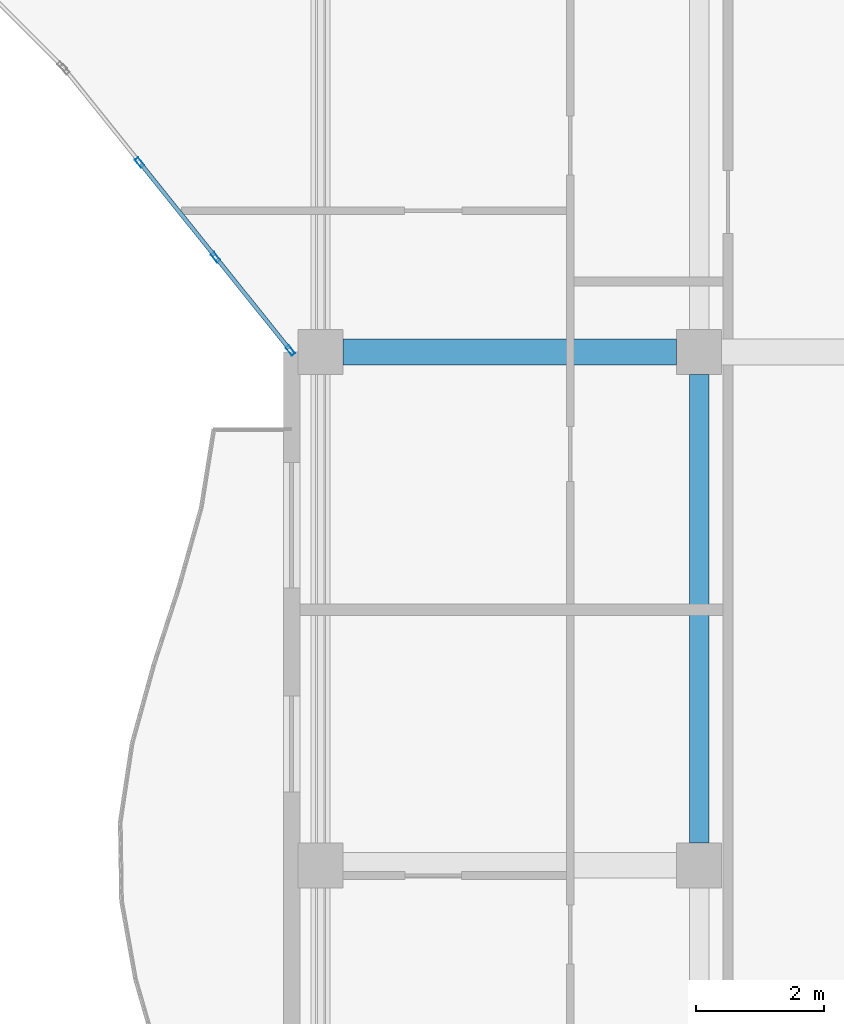
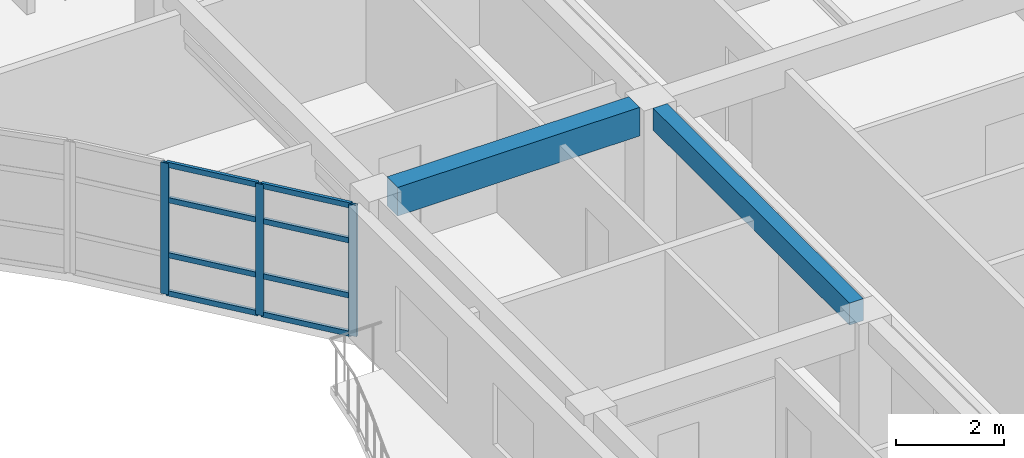
# One storey, part 67 of 128: 11 members, 2 beams, 1 element without a shape of its own.
"""IFC4 building model written with IfcOpenShell, lengths in metres."""

from ifc_helpers import new_model, si_unit, direction, frame, origin, origin_2d, place, context, subcontext, project, spatial, rectangle, hollow_rectangle, extrude, material, layer, layer_set, material_profile, profile_set, type_object, element, aggregate, save


model = new_model("IFC4")

# Units and contexts
model_context = context("Model", 3, precision=1e-05, world=origin(), true_north=direction((0.0, 1.0)))
body_context = subcontext(model_context, "Body", "Model", "MODEL_VIEW")
ifc_project = project(units=[si_unit("LENGTHUNIT", "METRE"), si_unit("AREAUNIT", "SQUARE_METRE"), si_unit("VOLUMEUNIT", "CUBIC_METRE"), si_unit("PLANEANGLEUNIT", "RADIAN"), si_unit("MASSUNIT", "GRAM", prefix="KILO")], contexts=[model_context])

# Site, building, storey
site_placement = place(None, origin())
site = spatial("IfcSite", under=ifc_project, at=site_placement, CompositionType="ELEMENT")
building_placement = place(site_placement, origin())
building = spatial("IfcBuilding", under=site, at=building_placement, Name="Keldmere Railside Commons", CompositionType="ELEMENT")
storey_placement = place(building_placement, frame((0.0, 0.0, 4.159912109375)))
storey = spatial("IfcBuildingStorey", under=building, at=storey_placement, Name="L01", CompositionType="ELEMENT", Elevation=4.159912109375)

# Beams
ifc_material_1 = material(Name="Concrete H-30 (C30/37)", Category="concrete")
ifc_material_profile_1 = material_profile(ifc_material_1, rectangle(XDim=0.39990234375, YDim=0.64990234375, at=origin_2d()), Name="RC-400x650")
ifc_profile_set_1 = profile_set([ifc_material_profile_1], Name="Concrete H-30 (C30/37)")
beam_type_1 = type_object("IfcBeamType", Name="Residential Spine RC Girder 400x650", PredefinedType="BEAM", material=ifc_profile_set_1)
beam_1_placement = place(storey_placement, frame((168.800048828125, 88.0, 2.875), z_axis=(1.0, 0.0, 0.0), x_axis=(0.0, 1.0, 0.0)))
element("IfcBeam", 1, at=beam_1_placement, inside=storey, type_object=beam_type_1, Name="BG-3 BM-L01-0809", PredefinedType="BEAM", context=body_context, shape_type="SweptSolid", body=[
    extrude(rectangle(XDim=0.39990234375, YDim=0.64990234375, at=origin_2d()), origin(), (0.0, 0.0, 1.0), 5.199951171875),
])
ifc_material_profile_2 = material_profile(ifc_material_1, rectangle(XDim=0.300048828125, YDim=0.5, at=origin_2d()), Name="RC-300x500")
ifc_profile_set_2 = profile_set([ifc_material_profile_2], Name="Concrete H-30 (C30/37)")
beam_type_2 = type_object("IfcBeamType", Name="Secondary Frame RC Beam 300x500", PredefinedType="BEAM", material=ifc_profile_set_2)
beam_2_placement = place(storey_placement, frame((174.35009765625, 80.35009765625, 2.9501953125), z_axis=(0.0, 1.0, 0.0), x_axis=(-1.0, 0.0, 0.0)))
element("IfcBeam", 2, at=beam_2_placement, inside=storey, type_object=beam_type_2, Name="BG-5 BM-L01-0968", PredefinedType="BEAM", context=body_context, shape_type="SweptSolid", body=[
    extrude(rectangle(XDim=0.300048828125, YDim=0.5, at=origin_2d()), origin(), (0.0, 0.0, 1.0), 7.2998046875),
])

# Curtain wall, members
ifc_material_2 = material(Name="Thermally Broken Aluminium", Category="aluminium")
ifc_layer = layer(ifc_material_2, 0.159912109375, Name="Court Chord Wintergarden CW 5400x2850")
ifc_layer_set = layer_set([ifc_layer], Name="Thermally Broken Aluminium")
curtain_wall_type = type_object("IfcCurtainWallType", Name="Court Chord Wintergarden CW 5400x2850", PredefinedType="NOTDEFINED", material=ifc_layer_set)
curtain_wall_placement = place(storey_placement, origin())
curtain_wall = element("IfcCurtainWall", 3, at=curtain_wall_placement, inside=storey, type_object=curtain_wall_type, Name="CW-13 CW-L01-162", PredefinedType="NOTDEFINED")
ifc_material_profile_3 = material_profile(ifc_material_2, hollow_rectangle(XDim=0.06494140625, YDim=0.159912109375, WallThickness=0.00390625, at=origin_2d()), Name="ALU-MULL-65x160")
ifc_profile_set_3 = profile_set([ifc_material_profile_3], Name="Thermally Broken Aluminium")
member_type_1 = type_object("IfcMemberType", Name="Unitised Curtain Wall Mullion 65x160", PredefinedType="MULLION", material=ifc_profile_set_3)
member_1_placement = place(storey_placement, frame((167.979736328125, 88.025390625, 0.0), z_axis=(0.0, 0.0, 1.0), x_axis=(-0.780009172323, -0.625768080915, 0.0)))
member_1 = element("IfcMember", 4, at=member_1_placement, type_object=member_type_1, Name="CW-13 mullion 1", PredefinedType="MULLION", context=body_context, shape_type="SweptSolid", body=[
    extrude(hollow_rectangle(XDim=0.06494140625, YDim=0.159912109375, WallThickness=0.00390625, at=origin_2d()), origin(), (0.0, 0.0, 1.0), 2.97998046875),
])
member_2_placement = place(storey_placement, frame((166.8154296875, 89.4765625, 0.0), z_axis=(0.0, 0.0, 1.0), x_axis=(-0.780009172323, -0.625768080915, 0.0)))
member_2 = element("IfcMember", 5, at=member_2_placement, type_object=member_type_1, Name="CW-13 mullion 2", PredefinedType="MULLION", context=body_context, shape_type="SweptSolid", body=[
    extrude(hollow_rectangle(XDim=0.06494140625, YDim=0.159912109375, WallThickness=0.00390625, at=origin_2d()), origin(), (0.0, 0.0, 1.0), 2.97998046875),
])
member_3_placement = place(storey_placement, frame((165.630615234375, 90.953369140625, 0.0), z_axis=(0.0, 0.0, 1.0), x_axis=(-0.780009172323, -0.625768080915, 0.0)))
member_3 = element("IfcMember", 6, at=member_3_placement, type_object=member_type_1, Name="CW-13 mullion 3", PredefinedType="MULLION", context=body_context, shape_type="SweptSolid", body=[
    extrude(hollow_rectangle(XDim=0.06494140625, YDim=0.159912109375, WallThickness=0.00390625, at=origin_2d()), origin(), (0.0, 0.0, 1.0), 2.97998046875),
])
ifc_material_profile_4 = material_profile(ifc_material_2, hollow_rectangle(XDim=0.06494140625, YDim=0.1201171875, WallThickness=0.00390625, at=origin_2d()), Name="ALU-TRAN-65x120")
ifc_profile_set_4 = profile_set([ifc_material_profile_4], Name="Thermally Broken Aluminium")
member_type_2 = type_object("IfcMemberType", Name="Unitised Curtain Wall Transom 65x120", PredefinedType="USERDEFINED", material=ifc_profile_set_4)
member_4_placement = place(storey_placement, frame((167.959228515625, 88.05078125, 0.032470703125), z_axis=(-0.625722553313, 0.780045694992, 0.0), x_axis=(-0.780045694992, -0.625722553313, 0.0)))
member_4 = element("IfcMember", 7, at=member_4_placement, type_object=member_type_2, Name="CW-13 transom 1.1", ObjectType="TRANSOM", PredefinedType="USERDEFINED", context=body_context, shape_type="SweptSolid", body=[
    extrude(hollow_rectangle(XDim=0.06494140625, YDim=0.1201171875, WallThickness=0.00390625, at=origin_2d()), origin(), (0.0, 0.0, 1.0), 1.795654296875),
])
member_5_placement = place(storey_placement, frame((167.959228515625, 88.05078125, 0.900146484375), z_axis=(-0.625722553313, 0.780045694992, 0.0), x_axis=(-0.780045694992, -0.625722553313, 0.0)))
member_5 = element("IfcMember", 8, at=member_5_placement, type_object=member_type_2, Name="CW-13 transom 1.2", ObjectType="TRANSOM", PredefinedType="USERDEFINED", context=body_context, shape_type="SweptSolid", body=[
    extrude(hollow_rectangle(XDim=0.06494140625, YDim=0.1201171875, WallThickness=0.00390625, at=origin_2d()), origin(), (0.0, 0.0, 1.0), 1.795654296875),
])
member_6_placement = place(storey_placement, frame((167.959228515625, 88.05078125, 2.150146484375), z_axis=(-0.625722553313, 0.780045694992, 0.0), x_axis=(-0.780045694992, -0.625722553313, 0.0)))
member_6 = element("IfcMember", 9, at=member_6_placement, type_object=member_type_2, Name="CW-13 transom 1.3", ObjectType="TRANSOM", PredefinedType="USERDEFINED", context=body_context, shape_type="SweptSolid", body=[
    extrude(hollow_rectangle(XDim=0.06494140625, YDim=0.1201171875, WallThickness=0.00390625, at=origin_2d()), origin(), (0.0, 0.0, 1.0), 1.795654296875),
])
member_7_placement = place(storey_placement, frame((167.959228515625, 88.05078125, 2.947509765625), z_axis=(-0.625722553313, 0.780045694992, 0.0), x_axis=(-0.780045694992, -0.625722553313, 0.0)))
member_7 = element("IfcMember", 10, at=member_7_placement, type_object=member_type_2, Name="CW-13 transom 1.4", ObjectType="TRANSOM", PredefinedType="USERDEFINED", context=body_context, shape_type="SweptSolid", body=[
    extrude(hollow_rectangle(XDim=0.06494140625, YDim=0.1201171875, WallThickness=0.00390625, at=origin_2d()), origin(), (0.0, 0.0, 1.0), 1.795654296875),
])
member_8_placement = place(storey_placement, frame((166.794921875, 89.501953125, 0.032470703125), z_axis=(-0.625688033635, 0.78007338409, 0.0), x_axis=(-0.78007338409, -0.625688033635, 0.0)))
member_8 = element("IfcMember", 11, at=member_8_placement, type_object=member_type_2, Name="CW-13 transom 2.1", ObjectType="TRANSOM", PredefinedType="USERDEFINED", context=body_context, shape_type="SweptSolid", body=[
    extrude(hollow_rectangle(XDim=0.06494140625, YDim=0.1201171875, WallThickness=0.00390625, at=origin_2d()), origin(), (0.0, 0.0, 1.0), 1.828125),
])
member_9_placement = place(storey_placement, frame((166.794921875, 89.501953125, 0.900146484375), z_axis=(-0.625688033635, 0.78007338409, 0.0), x_axis=(-0.78007338409, -0.625688033635, 0.0)))
member_9 = element("IfcMember", 12, at=member_9_placement, type_object=member_type_2, Name="CW-13 transom 2.2", ObjectType="TRANSOM", PredefinedType="USERDEFINED", context=body_context, shape_type="SweptSolid", body=[
    extrude(hollow_rectangle(XDim=0.06494140625, YDim=0.1201171875, WallThickness=0.00390625, at=origin_2d()), origin(), (0.0, 0.0, 1.0), 1.828125),
])
member_10_placement = place(storey_placement, frame((166.794921875, 89.501953125, 2.150146484375), z_axis=(-0.625688033635, 0.78007338409, 0.0), x_axis=(-0.78007338409, -0.625688033635, 0.0)))
member_10 = element("IfcMember", 13, at=member_10_placement, type_object=member_type_2, Name="CW-13 transom 2.3", ObjectType="TRANSOM", PredefinedType="USERDEFINED", context=body_context, shape_type="SweptSolid", body=[
    extrude(hollow_rectangle(XDim=0.06494140625, YDim=0.1201171875, WallThickness=0.00390625, at=origin_2d()), origin(), (0.0, 0.0, 1.0), 1.828125),
])
member_11_placement = place(storey_placement, frame((166.794921875, 89.501953125, 2.947509765625), z_axis=(-0.625688033635, 0.78007338409, 0.0), x_axis=(-0.78007338409, -0.625688033635, 0.0)))
member_11 = element("IfcMember", 14, at=member_11_placement, type_object=member_type_2, Name="CW-13 transom 2.4", ObjectType="TRANSOM", PredefinedType="USERDEFINED", context=body_context, shape_type="SweptSolid", body=[
    extrude(hollow_rectangle(XDim=0.06494140625, YDim=0.1201171875, WallThickness=0.00390625, at=origin_2d()), origin(), (0.0, 0.0, 1.0), 1.828125),
])
aggregate(curtain_wall, [member_1, member_2, member_3, member_4, member_5, member_6, member_7, member_8, member_9, member_10, member_11])

save(model, "model.ifc")
